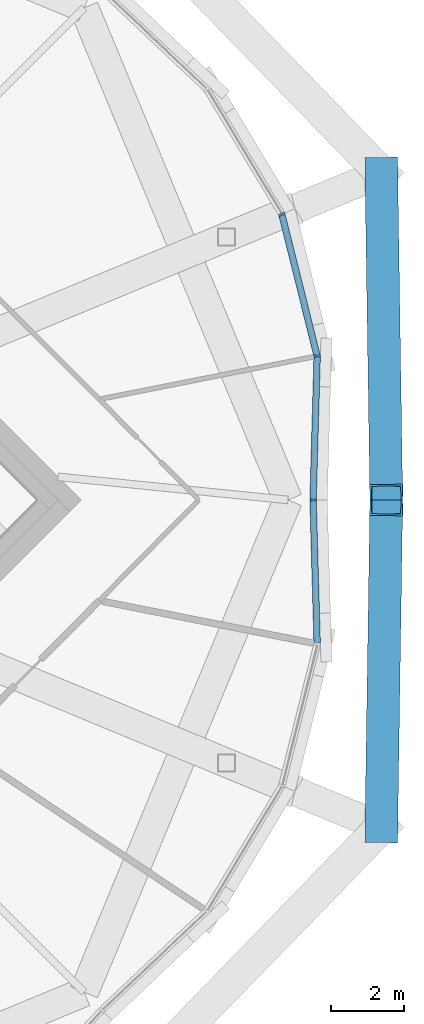
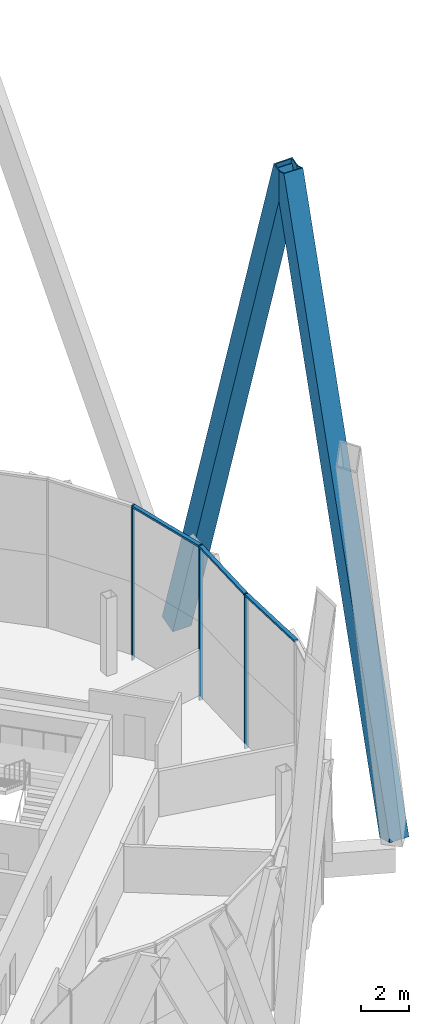
# One storey, part 32 of 53: 8 members, 2 elements without a shape of their own.
"""IFC4 building model written with IfcOpenShell, lengths in metres."""

import ifcopenshell
import ifcopenshell.guid

model = None  # the IFC model being written
_history = None  # IfcOwnerHistory: only IFC2X3 demands one
_inside = {}  # id of a spatial element -> (the spatial element, [elements in it])
_under = {}  # id of a project, library or spatial element -> (it, [spatial elements below it])
_declared = {}  # id of a project -> (the project, [libraries it declares])
_typed = {}  # id of a type object -> (the type object, [elements of that type])
_made_of = {}  # id of a material, layer set ... -> (it, [elements and type objects made of it])


def new_model(schema):
    """Start an empty IFC model of exactly this schema.

    Asked for "IFC4X3", IfcOpenShell would pick the latest addendum, in which some entities
    have other attributes; the version numbers below select the first issue.
    IFC2X3 requires an IfcOwnerHistory on every rooted entity: one is made here for all.
    """
    global model, _history
    if schema == "IFC4X3":
        model = ifcopenshell.file(schema_version=(4, 3, 0, 0))
    else:
        model = ifcopenshell.file(schema=schema)
    _inside.clear()
    _under.clear()
    _declared.clear()
    _typed.clear()
    _made_of.clear()
    _history = None
    if model.schema == "IFC2X3":
        org = make("IfcOrganization", Name="unknown")
        user = make(
            "IfcPersonAndOrganization",
            ThePerson=make("IfcPerson", FamilyName="unknown"),
            TheOrganization=org,
        )
        app = make(
            "IfcApplication",
            ApplicationDeveloper=org,
            Version="unknown",
            ApplicationFullName="unknown",
            ApplicationIdentifier="unknown",
        )
        _history = make(
            "IfcOwnerHistory",
            OwningUser=user,
            OwningApplication=app,
            ChangeAction="ADDED",
            CreationDate=0,
        )
    return model


def make(cls, **values):
    """One entity of the class cls with the attributes given. An attribute that is None is left unset."""
    return model.create_entity(
        cls, **{name: value for name, value in values.items() if value is not None}
    )


def rooted(cls, **values):
    """An entity with a GlobalId (a new one), such as an element, a storey or a relation."""
    return make(cls, GlobalId=ifcopenshell.guid.new(), OwnerHistory=_history, **values)


def si_unit(unit_type, name, prefix=None):
    """IfcSIUnit, for example si_unit("LENGTHUNIT", "METRE", prefix="MILLI")."""
    return make("IfcSIUnit", UnitType=unit_type, Prefix=prefix, Name=name)


def assignment(units):
    """IfcUnitAssignment: the units of a project."""
    return None if units is None else make("IfcUnitAssignment", Units=units)


def point(xyz):
    """IfcCartesianPoint."""
    return None if xyz is None else make("IfcCartesianPoint", Coordinates=xyz)


def direction(xyz):
    """IfcDirection."""
    return None if xyz is None else make("IfcDirection", DirectionRatios=xyz)


def frame(location, z_axis=None, x_axis=None):
    """IfcAxis2Placement3D, a coordinate frame: its origin and axes. An axis left out is left unset."""
    return make(
        "IfcAxis2Placement3D",
        Location=point(location),
        Axis=direction(z_axis),
        RefDirection=direction(x_axis),
    )


def frame_2d(location, x_axis=None):
    """IfcAxis2Placement2D, a coordinate frame in the plane: its origin and x axis."""
    return make(
        "IfcAxis2Placement2D", Location=point(location), RefDirection=direction(x_axis)
    )


def origin():
    """The frame at (0, 0, 0) with its axes left unset."""
    return frame((0.0, 0.0, 0.0))


def origin_2d():
    """The frame at (0, 0) in the plane with its x axis left unset."""
    return frame_2d((0.0, 0.0))


def place(relative_to, where):
    """IfcLocalPlacement: puts the frame where relative to a parent placement (None: the world)."""
    return make(
        "IfcLocalPlacement", PlacementRelTo=relative_to, RelativePlacement=where
    )


def context(
    kind, dimensions, precision=None, world=None, true_north=None, identifier=None
):
    """IfcGeometricRepresentationContext, for example the 3D "Model" context."""
    return make(
        "IfcGeometricRepresentationContext",
        ContextIdentifier=identifier,
        ContextType=kind,
        CoordinateSpaceDimension=dimensions,
        Precision=precision,
        WorldCoordinateSystem=world,
        TrueNorth=true_north,
    )


def subcontext(parent, identifier, kind, view, scale=None):
    """IfcGeometricRepresentationSubContext, for example "Body" below "Model"."""
    return make(
        "IfcGeometricRepresentationSubContext",
        ContextIdentifier=identifier,
        ContextType=kind,
        ParentContext=parent,
        TargetScale=scale,
        TargetView=view,
    )


def project(units=None, contexts=None):
    """IfcProject with its units and contexts."""
    return rooted(
        "IfcProject",
        Name="project",
        RepresentationContexts=contexts,
        UnitsInContext=assignment(units),
    )


def spatial(cls, under=None, at=None, **own):
    """A site, building, storey or space (cls), placed at a placement, below another one or the project."""
    s = rooted(cls, ObjectPlacement=at, **own)
    if under is not None:
        _under.setdefault(under.id(), (under, []))[1].append(s)
    return s


def profile(cls, at=None, kind="AREA", **sizes):
    """A parametric profile (cls). Its sizes go by their IFC names, for example OverallWidth=200.0."""
    return make(cls, ProfileType=kind, Position=at, **sizes)


def rectangle(**sizes):
    """IfcRectangleProfileDef."""
    return profile("IfcRectangleProfileDef", **sizes)


def hollow_rectangle(**sizes):
    """IfcRectangleHollowProfileDef."""
    return profile("IfcRectangleHollowProfileDef", **sizes)


def extrude(swept, where, along, depth):
    """IfcExtrudedAreaSolid: the profile swept, set in the frame where, extruded along a direction by depth."""
    return make(
        "IfcExtrudedAreaSolid",
        SweptArea=swept,
        Position=where,
        ExtrudedDirection=direction(along),
        Depth=depth,
    )


def shape(context_of_items, identifier, shape_type, items):
    """IfcShapeRepresentation: the items that make up one representation, for example the "Body"."""
    return make(
        "IfcShapeRepresentation",
        ContextOfItems=context_of_items,
        RepresentationIdentifier=identifier,
        RepresentationType=shape_type,
        Items=items,
    )


def material(Name=None, Category=None):
    """IfcMaterial."""
    return make("IfcMaterial", Name=Name, Category=Category)


def material_profile(
    of_material, cross_section, Name=None, Category=None, Priority=None
):
    """IfcMaterialProfile: a cross section and its material."""
    return make(
        "IfcMaterialProfile",
        Name=Name,
        Material=of_material,
        Profile=cross_section,
        Priority=Priority,
        Category=Category,
    )


def profile_set(profiles, Name=None, composite=None):
    """IfcMaterialProfileSet."""
    return make(
        "IfcMaterialProfileSet",
        Name=Name,
        MaterialProfiles=profiles,
        CompositeProfile=composite,
    )


def made_of(thing, what):
    """Note that an element or type object is made of a material, layer set ...; save() writes the relation."""
    if what is not None:
        _made_of.setdefault(what.id(), (what, []))[1].append(thing)
    return thing


def type_object(cls, material=None, **own):
    """A type object (cls), such as IfcWallType, which elements share."""
    return made_of(rooted(cls, **own), material)


def element(
    cls,
    number,
    at=None,
    inside=None,
    cuts=None,
    type_object=None,
    material=None,
    context=None,
    identifier="Body",
    shape_type=None,
    held_by="IfcProductDefinitionShape",
    body=None,
    shapes=None,
    **own,
):
    """One element of the class cls, such as IfcWall. Its Tag is "e" and its number.

    at: its placement. inside: the storey or other place that contains it. cuts: it is an
    opening in that element (IfcRelVoidsElement). A single representation is given by context,
    identifier, shape_type and body (its items); several are given by shapes. held_by: the class
    of the entity that holds the representations. save() writes the other relations.
    """
    e = rooted(cls, Tag="e%d" % number, ObjectPlacement=at, **own)
    if body is not None:
        shapes = [shape(context, identifier, shape_type, body)]
    if shapes is not None:
        e.Representation = make(held_by, Representations=shapes)
    if inside is not None:
        _inside.setdefault(inside.id(), (inside, []))[1].append(e)
    if cuts is not None:
        rooted(
            "IfcRelVoidsElement", RelatingBuildingElement=cuts, RelatedOpeningElement=e
        )
    if type_object is not None:
        _typed.setdefault(type_object.id(), (type_object, []))[1].append(e)
    return made_of(e, material)


def aggregate(whole, parts):
    """IfcRelAggregates: a whole, such as a stair, and the parts it consists of."""
    return rooted("IfcRelAggregates", RelatingObject=whole, RelatedObjects=parts)


def save(model, path):
    """Write the relations noted so far, then the file.

    IfcRelAggregates (storeys below a building ...), IfcRelContainedInSpatialStructure (elements
    in a storey), IfcRelDefinesByType, IfcRelAssociatesMaterial and IfcRelDeclares: one each for
    every whole, place, type object, material and project.
    """
    for whole, parts in _under.values():
        aggregate(whole, parts)
    for where, things in _inside.values():
        rooted(
            "IfcRelContainedInSpatialStructure",
            RelatedElements=things,
            RelatingStructure=where,
        )
    for kind, things in _typed.values():
        rooted("IfcRelDefinesByType", RelatedObjects=things, RelatingType=kind)
    for what, things in _made_of.values():
        rooted("IfcRelAssociatesMaterial", RelatedObjects=things, RelatingMaterial=what)
    for by, libraries in _declared.values():
        rooted("IfcRelDeclares", RelatingContext=by, RelatedDefinitions=libraries)
    model.write(path)


model = new_model("IFC4")

# Units and contexts
model_context = context("Model", 3, precision=1e-05, world=origin(), true_north=direction((0.0, 1.0)))
body_context = subcontext(model_context, "Body", "Model", "MODEL_VIEW")
ifc_project = project(units=[si_unit("LENGTHUNIT", "METRE"), si_unit("AREAUNIT", "SQUARE_METRE"), si_unit("VOLUMEUNIT", "CUBIC_METRE"), si_unit("PLANEANGLEUNIT", "RADIAN"), si_unit("MASSUNIT", "GRAM", prefix="KILO")], contexts=[model_context])

# Site, building, storey
site_placement = place(None, origin())
site = spatial("IfcSite", under=ifc_project, at=site_placement, CompositionType="ELEMENT")
building_placement = place(site_placement, origin())
building = spatial("IfcBuilding", under=site, at=building_placement, Name="Ogive Gate Towers", CompositionType="ELEMENT")
storey_placement = place(building_placement, frame((0.0, 0.0, 240.60009765625)))
storey = spatial("IfcBuildingStorey", under=building, at=storey_placement, Name="L57", CompositionType="ELEMENT", Elevation=240.60009765625)

# Members
ifc_material_1 = material(Name="Steel SM460", Category="steel")
ifc_material_profile_1 = material_profile(ifc_material_1, hollow_rectangle(XDim=0.89990234375, YDim=0.89990234375, WallThickness=0.050048828125, at=origin_2d()), Name="BX 900x900x50")
ifc_profile_set_1 = profile_set([ifc_material_profile_1], Name="Steel SM460")
member_type_1 = type_object("IfcMemberType", Name="Diagrid diagonal BX 900x900x50", PredefinedType="BRACE", material=ifc_profile_set_1)
for number, where, z_axis, x_axis, name in (
    (1, (57.67431640625, 8.977783203125, 0.0), (0.00458667981, -0.303356073086, 0.952866231582), (0.999885715585, 0.015118061019, 0.0), "T2/L57/SDG001"),
    (2, (57.67431640625, -8.977783203125, 0.0), (0.00458667981, 0.303356073086, 0.952866231582), (-0.999885715585, 0.015118061019, 0.0), "T2/L57/SDG016"),
):
    element("IfcMember", number, at=place(storey_placement, frame(where, z_axis=z_axis, x_axis=x_axis)), inside=storey, type_object=member_type_1, Name=name, PredefinedType="BRACE", context=body_context, shape_type="SweptSolid", body=[
        extrude(hollow_rectangle(XDim=0.89990234375, YDim=0.89990234375, WallThickness=0.050048828125, at=origin_2d()), origin(), (0.0, 0.0, 1.0), 29.594970703125),
    ])

# Curtain wall, members
ifc_material_2 = material(Name="Pale metal aluminium", Category="aluminium")
curtain_wall_type = type_object("IfcCurtainWallType", Name="Tower unitised wall, high zone", PredefinedType="NOTDEFINED", material=ifc_material_2)
curtain_wall_1_placement = place(storey_placement, origin())
curtain_wall_1 = element("IfcCurtainWall", 3, at=curtain_wall_1_placement, inside=storey, type_object=curtain_wall_type, Name="CW2 T2 ECW01", PredefinedType="NOTDEFINED")
ifc_material_profile_2 = material_profile(ifc_material_2, rectangle(XDim=0.179931640625, YDim=0.06005859375, at=origin_2d()), Name="60 x 180 aluminium box")
ifc_profile_set_2 = profile_set([ifc_material_profile_2], Name="Pale metal aluminium")
member_type_2 = type_object("IfcMemberType", Name="Tower unitised wall, high zone mullion 60 x 180", PredefinedType="MULLION", material=ifc_profile_set_2)
member_1_placement = place(storey_placement, frame((55.800048828125, 0.000244140625, -0.300048828125), z_axis=(0.0, 0.0, 1.0), x_axis=(0.999598826037, -0.028322905681, 0.0)))
member_1 = element("IfcMember", 4, at=member_1_placement, type_object=member_type_2, Name="CW2 mullion", PredefinedType="MULLION", context=body_context, shape_type="SweptSolid", body=[
    extrude(rectangle(XDim=0.179931640625, YDim=0.06005859375, at=origin_2d()), origin(), (0.0, 0.0, 1.0), 7.800048828125),
])
member_2_placement = place(storey_placement, frame((55.912109375, 3.95263671875, -0.300048828125), z_axis=(0.0, 0.0, 1.0), x_axis=(0.994160384909, 0.107912599257, 0.0)))
member_2 = element("IfcMember", 5, at=member_2_placement, type_object=member_type_2, Name="CW2 mullion", PredefinedType="MULLION", context=body_context, shape_type="SweptSolid", body=[
    extrude(rectangle(XDim=0.179931640625, YDim=0.06005859375, at=origin_2d()), origin(), (0.0, 0.0, 1.0), 7.800048828125),
])
member_3_placement = place(storey_placement, frame((54.940673828125, 7.845458984375, -0.300048828125), z_axis=(0.0, 0.0, 1.0), x_axis=(0.923879532511, 0.382683432365, 0.0)))
member_3 = element("IfcMember", 6, at=member_3_placement, type_object=member_type_2, Name="CW2 mullion", PredefinedType="MULLION", context=body_context, shape_type="SweptSolid", body=[
    extrude(rectangle(XDim=0.179931640625, YDim=0.06005859375, at=origin_2d()), origin(), (0.0, 0.0, 1.0), 7.800048828125),
])
ifc_material_profile_3 = material_profile(ifc_material_2, rectangle(XDim=0.179931640625, YDim=0.10009765625, at=origin_2d()), Name="100 x 180 aluminium box")
ifc_profile_set_3 = profile_set([ifc_material_profile_3], Name="Pale metal aluminium")
member_type_3 = type_object("IfcMemberType", Name="Tower unitised wall, high zone transom 100 x 180", PredefinedType="USERDEFINED", material=ifc_profile_set_3)
member_4_placement = place(storey_placement, frame((55.80078125, 0.0302734375, 7.449951171875), z_axis=(0.02832896055, 0.999598654458, 0.0), x_axis=(-0.999598654458, 0.02832896055, 0.0)))
member_4 = element("IfcMember", 7, at=member_4_placement, type_object=member_type_3, Name="CW2 transom", ObjectType="TRANSOM", PredefinedType="USERDEFINED", context=body_context, shape_type="SweptSolid", body=[
    extrude(rectangle(XDim=0.179931640625, YDim=0.10009765625, at=origin_2d()), origin(), (0.0, 0.0, 1.0), 3.895263671875),
])
member_5_placement = place(storey_placement, frame((55.905029296875, 3.98046875, 7.449951171875), z_axis=(-0.24209986874, 0.970251335251, 0.0), x_axis=(-0.970251335251, -0.24209986874, 0.0)))
member_5 = element("IfcMember", 8, at=member_5_placement, type_object=member_type_3, Name="CW2 transom", ObjectType="TRANSOM", PredefinedType="USERDEFINED", context=body_context, shape_type="SweptSolid", body=[
    extrude(rectangle(XDim=0.179931640625, YDim=0.10009765625, at=origin_2d()), origin(), (0.0, 0.0, 1.0), 3.955078125),
])
aggregate(curtain_wall_1, [member_1, member_2, member_4, member_3, member_5])

# Curtain wall, member
curtain_wall_2_placement = place(storey_placement, origin())
curtain_wall_2 = element("IfcCurtainWall", 9, at=curtain_wall_2_placement, inside=storey, type_object=curtain_wall_type, Name="CW2 T2 ECW08", PredefinedType="NOTDEFINED")
member_6_placement = place(storey_placement, frame((55.9111328125, -3.924072265625, 7.449951171875), z_axis=(-0.02832896055, 0.999598654458, 0.0), x_axis=(-0.999598654458, -0.02832896055, 0.0)))
member_6 = element("IfcMember", 10, at=member_6_placement, type_object=member_type_3, Name="CW2 transom", ObjectType="TRANSOM", PredefinedType="USERDEFINED", context=body_context, shape_type="SweptSolid", body=[
    extrude(rectangle(XDim=0.179931640625, YDim=0.10009765625, at=origin_2d()), origin(), (0.0, 0.0, 1.0), 3.895263671875),
])
aggregate(curtain_wall_2, [member_6])

save(model, "model.ifc")
